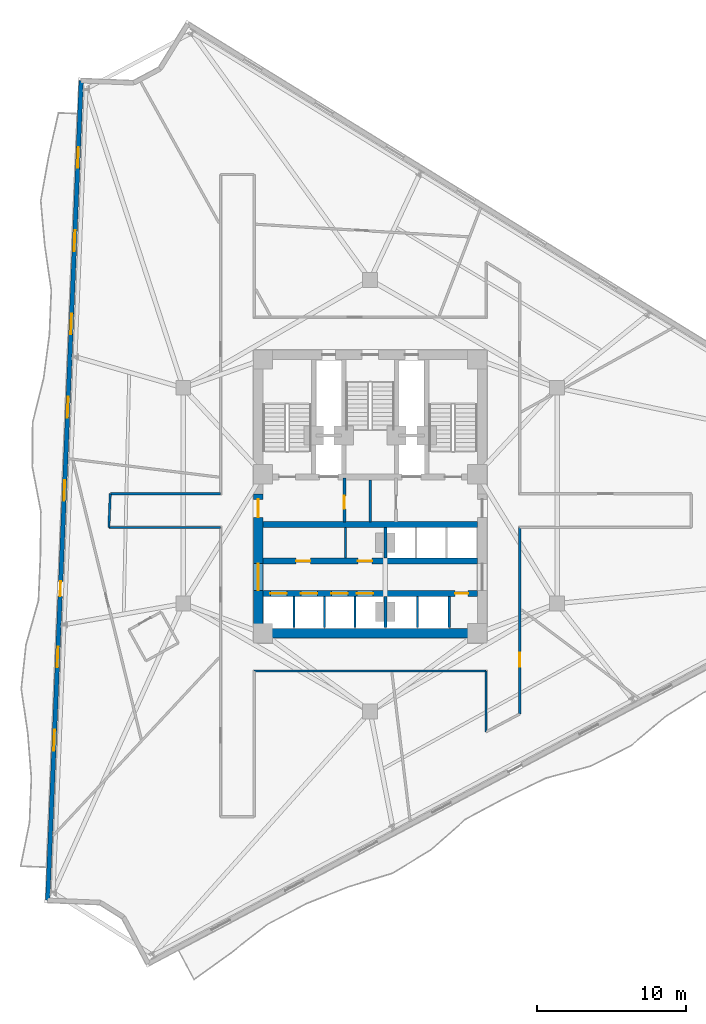
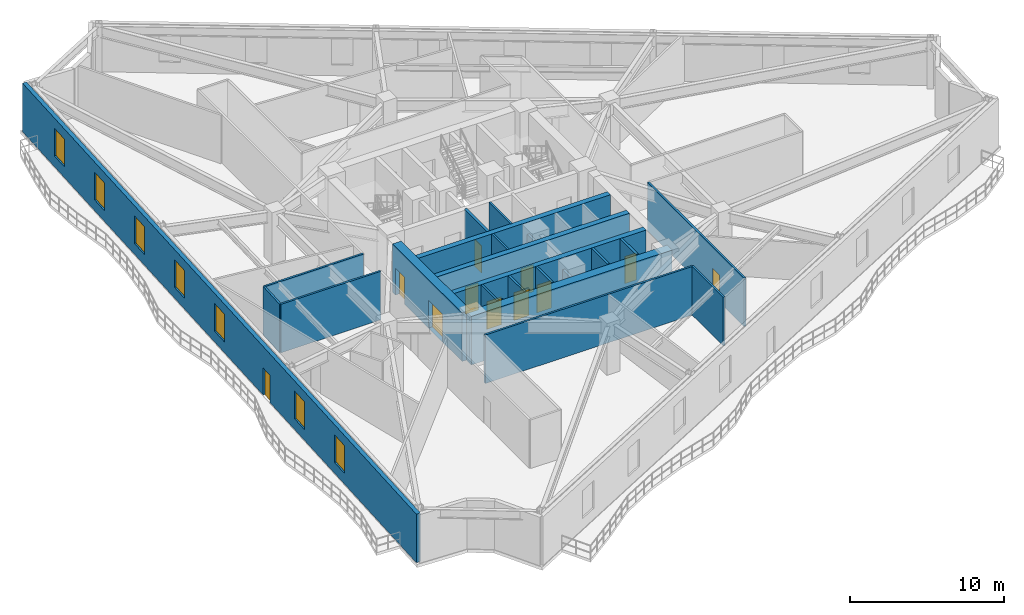
# One storey, part 6 of 11: 22 walls, 12 doors, 7 windows, 19 openings.
"""IFC4 building model written with IfcOpenShell, lengths in metres."""

from ifc_helpers import new_model, si_unit, direction, frame, frame_2d, origin, place, context, subcontext, project, spatial, rectangle, extrude, material, layer, layer_set, type_object, element, fill, save


model = new_model("IFC4")

# Units and contexts
model_context = context("Model", 3, precision=1e-05, world=origin(), true_north=direction((0.0, 1.0)))
body_context = subcontext(model_context, "Body", "Model", "MODEL_VIEW")
ifc_project = project(units=[si_unit("LENGTHUNIT", "METRE"), si_unit("AREAUNIT", "SQUARE_METRE"), si_unit("VOLUMEUNIT", "CUBIC_METRE"), si_unit("PLANEANGLEUNIT", "RADIAN"), si_unit("MASSUNIT", "GRAM", prefix="KILO")], contexts=[model_context])

# Site, building, storey
site_placement = place(None, origin())
site = spatial("IfcSite", under=ifc_project, at=site_placement, CompositionType="ELEMENT")
building_placement = place(site_placement, origin())
building = spatial("IfcBuilding", under=site, at=building_placement, Name="Apsidion Concourse Tower", CompositionType="ELEMENT")
storey_placement = place(building_placement, frame((0.0, 0.0, 169.60009765625)))
storey = spatial("IfcBuildingStorey", under=building, at=storey_placement, Name="L39", CompositionType="ELEMENT", Elevation=169.60009765625)

# Wall, openings, door, windows
ifc_material_1 = material(Name="Precast concrete C40/50", Category="concrete")
ifc_layer_1 = layer(ifc_material_1, 0.300048828125)
ifc_layer_set_1 = layer_set([ifc_layer_1], Name="Precast concrete C40/50")
wall_type_1 = type_object("IfcWallType", Name="WL-EXT-300", PredefinedType="STANDARD", material=ifc_layer_set_1)
wall_1_placement = place(storey_placement, frame((-21.66748046875, -27.184326171875, 0.0), z_axis=(0.0, 0.0, 1.0), x_axis=(0.040813869681, 0.999166766882, 0.0)))
wall_1 = element("IfcWall", 1, at=wall_1_placement, inside=storey, type_object=wall_type_1, Name="L39 Precast Stone Facade Wall 09", PredefinedType="STANDARD", context=body_context, shape_type="SweptSolid", body=[
    extrude(rectangle(XDim=55.1103515625, YDim=0.300048828125, at=frame_2d((27.55517578125, 0.0))), origin(), (0.0, 0.0, 1.0), 3.849853515625),
])
opening_1_placement = place(wall_1_placement, frame((20.44189453125, 0.0, 0.0)))
opening_1 = element("IfcOpeningElement", 2, at=opening_1_placement, cuts=wall_1, Name="Opening D-T1R", PredefinedType="OPENING", context=body_context, shape_type="SweptSolid", body=[
    extrude(rectangle(XDim=1.0, YDim=2.14990234375, at=frame_2d((0.5, 1.074951171875))), frame((0.0, 0.16015625, 0.0), z_axis=(0.0, -1.0, 0.0), x_axis=(1.0, 0.0, 0.0)), (0.0, 0.0, 1.0), 0.320068359375),
])
opening_2_placement = place(wall_1_placement, frame((10.055419921875, 0.0, 0.85009765625)))
opening_2 = element("IfcOpeningElement", 3, at=opening_2_placement, cuts=wall_1, Name="Opening WN-05", PredefinedType="OPENING", context=body_context, shape_type="SweptSolid", body=[
    extrude(rectangle(XDim=1.39990234375, YDim=2.199951171875, at=frame_2d((0.699951171875, 1.10009765625))), frame((0.0, 0.16015625, 0.0), z_axis=(0.0, -1.0, 0.0), x_axis=(1.0, 0.0, 0.0)), (0.0, 0.0, 1.0), 0.320068359375),
])
opening_3_placement = place(wall_1_placement, frame((15.6552734375, 0.0, 0.85009765625)))
opening_3 = element("IfcOpeningElement", 4, at=opening_3_placement, cuts=wall_1, Name="Opening WN-05", PredefinedType="OPENING", context=body_context, shape_type="SweptSolid", body=[
    extrude(rectangle(XDim=1.39990234375, YDim=2.199951171875, at=frame_2d((0.699951171875, 1.10009765625))), frame((0.0, 0.16015625, 0.0), z_axis=(0.0, -1.0, 0.0), x_axis=(1.0, 0.0, 0.0)), (0.0, 0.0, 1.0), 0.320068359375),
])
opening_4_placement = place(wall_1_placement, frame((26.855224609375, 0.0, 0.85009765625)))
opening_4 = element("IfcOpeningElement", 5, at=opening_4_placement, cuts=wall_1, Name="Opening WN-05", PredefinedType="OPENING", context=body_context, shape_type="SweptSolid", body=[
    extrude(rectangle(XDim=1.39990234375, YDim=2.199951171875, at=frame_2d((0.699951171875, 1.10009765625))), frame((0.0, 0.16015625, 0.0), z_axis=(0.0, -1.0, 0.0), x_axis=(1.0, 0.0, 0.0)), (0.0, 0.0, 1.0), 0.320068359375),
])
opening_5_placement = place(wall_1_placement, frame((32.455322265625, 0.0, 0.85009765625)))
opening_5 = element("IfcOpeningElement", 6, at=opening_5_placement, cuts=wall_1, Name="Opening WN-05", PredefinedType="OPENING", context=body_context, shape_type="SweptSolid", body=[
    extrude(rectangle(XDim=1.39990234375, YDim=2.199951171875, at=frame_2d((0.699951171875, 1.10009765625))), frame((0.0, 0.16015625, 0.0), z_axis=(0.0, -1.0, 0.0), x_axis=(1.0, 0.0, 0.0)), (0.0, 0.0, 1.0), 0.320068359375),
])
opening_6_placement = place(wall_1_placement, frame((38.055419921875, 0.0, 0.85009765625)))
opening_6 = element("IfcOpeningElement", 7, at=opening_6_placement, cuts=wall_1, Name="Opening WN-05", PredefinedType="OPENING", context=body_context, shape_type="SweptSolid", body=[
    extrude(rectangle(XDim=1.39990234375, YDim=2.199951171875, at=frame_2d((0.699951171875, 1.10009765625))), frame((0.0, 0.16015625, 0.0), z_axis=(0.0, -1.0, 0.0), x_axis=(1.0, 0.0, 0.0)), (0.0, 0.0, 1.0), 0.320068359375),
])
opening_7_placement = place(wall_1_placement, frame((43.6552734375, 0.0, 0.85009765625)))
opening_7 = element("IfcOpeningElement", 8, at=opening_7_placement, cuts=wall_1, Name="Opening WN-05", PredefinedType="OPENING", context=body_context, shape_type="SweptSolid", body=[
    extrude(rectangle(XDim=1.39990234375, YDim=2.199951171875, at=frame_2d((0.699951171875, 1.10009765625))), frame((0.0, 0.16015625, 0.0), z_axis=(0.0, -1.0, 0.0), x_axis=(1.0, 0.0, 0.0)), (0.0, 0.0, 1.0), 0.320068359375),
])
opening_8_placement = place(wall_1_placement, frame((49.25537109375, 0.0, 0.85009765625)))
opening_8 = element("IfcOpeningElement", 9, at=opening_8_placement, cuts=wall_1, Name="Opening WN-05", PredefinedType="OPENING", context=body_context, shape_type="SweptSolid", body=[
    extrude(rectangle(XDim=1.39990234375, YDim=2.199951171875, at=frame_2d((0.699951171875, 1.10009765625))), frame((0.0, 0.16015625, 0.0), z_axis=(0.0, -1.0, 0.0), x_axis=(1.0, 0.0, 0.0)), (0.0, 0.0, 1.0), 0.320068359375),
])
ifc_material_2 = material(Name="Anodised aluminium EN AW-6063 T6", Category="aluminium")
door_type_1 = type_object("IfcDoorType", Name="DR-TER-1022R", OperationType="SINGLE_SWING_RIGHT", PredefinedType="DOOR", material=ifc_material_2)
door_1_placement = place(opening_1_placement, origin())
door_1 = element("IfcDoor", 10, at=door_1_placement, inside=storey, type_object=door_type_1, Name="L39 Balcony Access Door 1", OperationType="SINGLE_SWING_RIGHT", OverallHeight=2.14990234375, OverallWidth=1.0, PredefinedType="DOOR", context=body_context, shape_type="SweptSolid", body=[
    extrude(rectangle(XDim=1.0, YDim=2.14990234375, at=frame_2d((0.5, 1.074951171875))), frame((0.0, 0.02490234375, 0.0), z_axis=(0.0, -1.0, 0.0), x_axis=(1.0, 0.0, 0.0)), (0.0, 0.0, 1.0), 0.050048828125),
])
fill(opening_1, door_1)
ifc_material_3 = material(Name="Insulated laminated low-E glass", Category="glass")
window_type = type_object("IfcWindowType", Name="WN-OFF-1424", PartitioningType="SINGLE_PANEL", PredefinedType="WINDOW", material=ifc_material_3)
window_1_placement = place(opening_2_placement, origin())
window_1 = element("IfcWindow", 11, at=window_1_placement, inside=storey, type_object=window_type, Name="L39 Punched Facade Window 9-02", OverallHeight=2.199951171875, OverallWidth=1.39990234375, PartitioningType="SINGLE_PANEL", PredefinedType="WINDOW", context=body_context, shape_type="SweptSolid", body=[
    extrude(rectangle(XDim=1.39990234375, YDim=2.199951171875, at=frame_2d((0.699951171875, 1.10009765625))), frame((0.0, 0.030029296875, 0.0), z_axis=(0.0, -1.0, 0.0), x_axis=(1.0, 0.0, 0.0)), (0.0, 0.0, 1.0), 0.06005859375),
])
fill(opening_2, window_1)
window_2_placement = place(opening_3_placement, origin())
window_2 = element("IfcWindow", 12, at=window_2_placement, inside=storey, type_object=window_type, Name="L39 Punched Facade Window 9-03", OverallHeight=2.199951171875, OverallWidth=1.39990234375, PartitioningType="SINGLE_PANEL", PredefinedType="WINDOW", context=body_context, shape_type="SweptSolid", body=[
    extrude(rectangle(XDim=1.39990234375, YDim=2.199951171875, at=frame_2d((0.699951171875, 1.10009765625))), frame((0.0, 0.030029296875, 0.0), z_axis=(0.0, -1.0, 0.0), x_axis=(1.0, 0.0, 0.0)), (0.0, 0.0, 1.0), 0.06005859375),
])
fill(opening_3, window_2)
window_3_placement = place(opening_4_placement, origin())
window_3 = element("IfcWindow", 13, at=window_3_placement, inside=storey, type_object=window_type, Name="L39 Punched Facade Window 9-05", OverallHeight=2.199951171875, OverallWidth=1.39990234375, PartitioningType="SINGLE_PANEL", PredefinedType="WINDOW", context=body_context, shape_type="SweptSolid", body=[
    extrude(rectangle(XDim=1.39990234375, YDim=2.199951171875, at=frame_2d((0.699951171875, 1.10009765625))), frame((0.0, 0.030029296875, 0.0), z_axis=(0.0, -1.0, 0.0), x_axis=(1.0, 0.0, 0.0)), (0.0, 0.0, 1.0), 0.06005859375),
])
fill(opening_4, window_3)
window_4_placement = place(opening_5_placement, origin())
window_4 = element("IfcWindow", 14, at=window_4_placement, inside=storey, type_object=window_type, Name="L39 Punched Facade Window 9-06", OverallHeight=2.199951171875, OverallWidth=1.39990234375, PartitioningType="SINGLE_PANEL", PredefinedType="WINDOW", context=body_context, shape_type="SweptSolid", body=[
    extrude(rectangle(XDim=1.39990234375, YDim=2.199951171875, at=frame_2d((0.699951171875, 1.10009765625))), frame((0.0, 0.030029296875, 0.0), z_axis=(0.0, -1.0, 0.0), x_axis=(1.0, 0.0, 0.0)), (0.0, 0.0, 1.0), 0.06005859375),
])
fill(opening_5, window_4)
window_5_placement = place(opening_6_placement, origin())
window_5 = element("IfcWindow", 15, at=window_5_placement, inside=storey, type_object=window_type, Name="L39 Punched Facade Window 9-07", OverallHeight=2.199951171875, OverallWidth=1.39990234375, PartitioningType="SINGLE_PANEL", PredefinedType="WINDOW", context=body_context, shape_type="SweptSolid", body=[
    extrude(rectangle(XDim=1.39990234375, YDim=2.199951171875, at=frame_2d((0.699951171875, 1.10009765625))), frame((0.0, 0.030029296875, 0.0), z_axis=(0.0, -1.0, 0.0), x_axis=(1.0, 0.0, 0.0)), (0.0, 0.0, 1.0), 0.06005859375),
])
fill(opening_6, window_5)
window_6_placement = place(opening_7_placement, origin())
window_6 = element("IfcWindow", 16, at=window_6_placement, inside=storey, type_object=window_type, Name="L39 Punched Facade Window 9-08", OverallHeight=2.199951171875, OverallWidth=1.39990234375, PartitioningType="SINGLE_PANEL", PredefinedType="WINDOW", context=body_context, shape_type="SweptSolid", body=[
    extrude(rectangle(XDim=1.39990234375, YDim=2.199951171875, at=frame_2d((0.699951171875, 1.10009765625))), frame((0.0, 0.030029296875, 0.0), z_axis=(0.0, -1.0, 0.0), x_axis=(1.0, 0.0, 0.0)), (0.0, 0.0, 1.0), 0.06005859375),
])
fill(opening_7, window_6)
window_7_placement = place(opening_8_placement, origin())
window_7 = element("IfcWindow", 17, at=window_7_placement, inside=storey, type_object=window_type, Name="L39 Punched Facade Window 9-09", OverallHeight=2.199951171875, OverallWidth=1.39990234375, PartitioningType="SINGLE_PANEL", PredefinedType="WINDOW", context=body_context, shape_type="SweptSolid", body=[
    extrude(rectangle(XDim=1.39990234375, YDim=2.199951171875, at=frame_2d((0.699951171875, 1.10009765625))), frame((0.0, 0.030029296875, 0.0), z_axis=(0.0, -1.0, 0.0), x_axis=(1.0, 0.0, 0.0)), (0.0, 0.0, 1.0), 0.06005859375),
])
fill(opening_8, window_7)

# Walls
ifc_material_4 = material(Name="Gypsum plasterboard partition")
ifc_layer_2 = layer(ifc_material_4, 0.14990234375)
ifc_layer_set_2 = layer_set([ifc_layer_2], Name="Gypsum plasterboard partition")
wall_type_2 = type_object("IfcWallType", Name="WL-INT-PAR-150", PredefinedType="PARTITIONING", material=ifc_layer_set_2)
wall_2_placement = place(storey_placement, frame((-1.64990234375, -4.179931640625, 0.0), z_axis=(0.0, 0.0, 1.0), x_axis=(0.0, 1.0, 0.0)))
element("IfcWall", 18, at=wall_2_placement, inside=storey, type_object=wall_type_2, Name="L39 Interior Partition WL-L39-B1RV1", PredefinedType="PARTITIONING", context=body_context, shape_type="SweptSolid", body=[
    extrude(rectangle(XDim=2.030029296875, YDim=0.14990234375, at=frame_2d((1.01513671875, 0.0))), origin(), (0.0, 0.0, 1.0), 3.849853515625),
])
for number, where, z_axis, x_axis, name in (
    (19, (-5.125, -8.85009765625, 0.0), (0.0, 0.0, 1.0), (0.0, 1.0, 0.0), "L39 Interior Partition WL-L39-B2DIV-1"),
    (20, (-3.074951171875, -8.85009765625, 0.0), (0.0, 0.0, 1.0), (0.0, 1.0, 0.0), "L39 Interior Partition WL-L39-B2DIV-2"),
    (21, (-1.02490234375, -8.85009765625, 0.0), (0.0, 0.0, 1.0), (0.0, 1.0, 0.0), "L39 Interior Partition WL-L39-B2DIV-3"),
    (22, (3.175048828125, -8.85009765625, 0.0), (0.0, 0.0, 1.0), (0.0, 1.0, 0.0), "L39 Interior Partition WL-L39-SHDIV-1"),
):
    element("IfcWall", number, at=place(storey_placement, frame(where, z_axis=z_axis, x_axis=x_axis)), inside=storey, type_object=wall_type_2, Name=name, PredefinedType="PARTITIONING", context=body_context, shape_type="SweptSolid", body=[
        extrude(rectangle(XDim=2.080078125, YDim=0.14990234375, at=frame_2d((1.0400390625, 0.0))), origin(), (0.0, 0.0, 1.0), 3.849853515625),
    ])
wall_3_placement = place(storey_placement, frame((0.0, -1.780029296875, 0.0), z_axis=(0.0, 0.0, 1.0), x_axis=(0.0, 1.0, 0.0)))
element("IfcWall", 23, at=wall_3_placement, inside=storey, type_object=wall_type_2, Name="L39 Interior Partition WL-L39-K3V", PredefinedType="PARTITIONING", context=body_context, shape_type="SweptSolid", body=[
    extrude(rectangle(XDim=2.830078125, YDim=0.14990234375, at=frame_2d((1.4150390625, 0.0))), origin(), (0.0, 0.0, 1.0), 3.849853515625),
])
wall_4_placement = place(storey_placement, frame((7.7900390625, -15.87060546875, 0.0), z_axis=(0.0, 0.0, 1.0), x_axis=(0.0, 1.0, 0.0)))
element("IfcWall", 24, at=wall_4_placement, inside=storey, type_object=wall_type_2, Name="L39 Interior Partition WL-L39-CORR-02", PredefinedType="PARTITIONING", context=body_context, shape_type="SweptSolid", body=[
    extrude(rectangle(XDim=4.095703125, YDim=0.14990234375, at=frame_2d((2.0478515625, 0.0))), origin(), (0.0, 0.0, 1.0), 3.849853515625),
])
wall_5_placement = place(storey_placement, frame((7.7900390625, -11.77490234375, 0.0), z_axis=(0.0, 0.0, 1.0), x_axis=(-1.0, 0.0, 0.0)))
element("IfcWall", 25, at=wall_5_placement, inside=storey, type_object=wall_type_2, Name="L39 Interior Partition WL-L39-CORR-03", PredefinedType="PARTITIONING", context=body_context, shape_type="SweptSolid", body=[
    extrude(rectangle(XDim=15.580078125, YDim=0.14990234375, at=frame_2d((7.7900390625, 0.0))), origin(), (0.0, 0.0, 1.0), 3.849853515625),
])
wall_6_placement = place(storey_placement, frame((-10.050048828125, -2.1298828125, 0.0), z_axis=(0.0, 0.0, 1.0), x_axis=(-1.0, 0.0, 0.0)))
element("IfcWall", 26, at=wall_6_placement, inside=storey, type_object=wall_type_2, Name="L39 Interior Partition WL-L39-CORR-07", PredefinedType="PARTITIONING", context=body_context, shape_type="SweptSolid", body=[
    extrude(rectangle(XDim=7.50634765625, YDim=0.14990234375, at=frame_2d((3.753173828125, 0.0))), origin(), (0.0, 0.0, 1.0), 3.849853515625),
])
wall_7_placement = place(storey_placement, frame((-17.556396484375, -2.1298828125, 0.0), z_axis=(0.0, 0.0, 1.0), x_axis=(0.040804363078, 0.999167155162, 0.0)))
element("IfcWall", 27, at=wall_7_placement, inside=storey, type_object=wall_type_2, Name="L39 Interior Partition WL-L39-CORR-08", PredefinedType="PARTITIONING", context=body_context, shape_type="SweptSolid", body=[
    extrude(rectangle(XDim=2.26171875, YDim=0.14990234375, at=frame_2d((1.130859375, 0.0))), origin(), (0.0, 0.0, 1.0), 3.849853515625),
])
wall_8_placement = place(storey_placement, frame((-17.464111328125, 0.1298828125, 0.0), z_axis=(0.0, 0.0, 1.0), x_axis=(1.0, 0.0, 0.0)))
element("IfcWall", 28, at=wall_8_placement, inside=storey, type_object=wall_type_2, Name="L39 Interior Partition WL-L39-CORR-09", PredefinedType="PARTITIONING", context=body_context, shape_type="SweptSolid", body=[
    extrude(rectangle(XDim=7.4140625, YDim=0.14990234375, at=frame_2d((3.70703125, 0.0))), origin(), (0.0, 0.0, 1.0), 3.849853515625),
])

# Wall, opening, door
wall_9_placement = place(storey_placement, frame((10.050048828125, -2.1298828125, 0.0), z_axis=(0.0, 0.0, 1.0), x_axis=(0.0, -1.0, 0.0)))
wall_9 = element("IfcWall", 29, at=wall_9_placement, inside=storey, type_object=wall_type_2, Name="L39 Interior Partition WL-L39-CORR-20", PredefinedType="PARTITIONING", context=body_context, shape_type="SweptSolid", body=[
    extrude(rectangle(XDim=12.5390625, YDim=0.14990234375, at=frame_2d((6.26953125, 0.0))), origin(), (0.0, 0.0, 1.0), 3.849853515625),
])
opening_9_placement = place(wall_9_placement, frame((8.428955078125, 0.0, 0.0)))
opening_9 = element("IfcOpeningElement", 30, at=opening_9_placement, cuts=wall_9, Name="Opening D-01L", PredefinedType="OPENING", context=body_context, shape_type="SweptSolid", body=[
    extrude(rectangle(XDim=0.949951171875, YDim=2.14990234375, at=frame_2d((0.47509765625, 1.074951171875))), frame((0.0, 0.0849609375, 0.0), z_axis=(0.0, -1.0, 0.0), x_axis=(1.0, 0.0, 0.0)), (0.0, 0.0, 1.0), 0.169921875),
])
ifc_material_5 = material(Name="Brushed stainless steel 316", Category="steel")
door_type_2 = type_object("IfcDoorType", Name="DR-INT-D01L", OperationType="SINGLE_SWING_LEFT", PredefinedType="DOOR", material=ifc_material_5)
door_2_placement = place(opening_9_placement, origin())
door_2 = element("IfcDoor", 31, at=door_2_placement, inside=storey, type_object=door_type_2, Name="L39 Corridor Entry Door 03", OperationType="SINGLE_SWING_LEFT", OverallHeight=2.14990234375, OverallWidth=0.949951171875, PredefinedType="DOOR", context=body_context, shape_type="SweptSolid", body=[
    extrude(rectangle(XDim=0.949951171875, YDim=2.14990234375, at=frame_2d((0.47509765625, 1.074951171875))), frame((0.0, 0.02490234375, 0.0), z_axis=(0.0, -1.0, 0.0), x_axis=(1.0, 0.0, 0.0)), (0.0, 0.0, 1.0), 0.050048828125),
])
fill(opening_9, door_2)

# Walls
ifc_layer_3 = layer(ifc_material_4, 0.179931640625)
ifc_layer_set_3 = layer_set([ifc_layer_3], Name="Gypsum plasterboard partition")
wall_type_3 = type_object("IfcWallType", Name="WL-INT-PAR-180", PredefinedType="PARTITIONING", material=ifc_layer_set_3)
wall_10_placement = place(storey_placement, frame((1.02490234375, -4.179931640625, 0.0), z_axis=(0.0, 0.0, 1.0), x_axis=(0.0, 1.0, 0.0)))
element("IfcWall", 32, at=wall_10_placement, inside=storey, type_object=wall_type_3, Name="L39 Interior Partition WL-L39-B1END", PredefinedType="PARTITIONING", context=body_context, shape_type="SweptSolid", body=[
    extrude(rectangle(XDim=2.030029296875, YDim=0.179931640625, at=frame_2d((1.01513671875, 0.0))), origin(), (0.0, 0.0, 1.0), 2.89794921875),
])
wall_11_placement = place(storey_placement, frame((1.02490234375, -8.85009765625, 0.0), z_axis=(0.0, 0.0, 1.0), x_axis=(0.0, 1.0, 0.0)))
element("IfcWall", 33, at=wall_11_placement, inside=storey, type_object=wall_type_3, Name="L39 Interior Partition WL-L39-B2END", PredefinedType="PARTITIONING", context=body_context, shape_type="SweptSolid", body=[
    extrude(rectangle(XDim=2.080078125, YDim=0.179931640625, at=frame_2d((1.0400390625, 0.0))), origin(), (0.0, 0.0, 1.0), 2.89794921875),
])
wall_12_placement = place(storey_placement, frame((5.324951171875, -8.85009765625, 0.0), z_axis=(0.0, 0.0, 1.0), x_axis=(0.0, 1.0, 0.0)))
element("IfcWall", 34, at=wall_12_placement, inside=storey, type_object=wall_type_3, Name="L39 Interior Partition WL-L39-SHDIV-2", PredefinedType="PARTITIONING", context=body_context, shape_type="SweptSolid", body=[
    extrude(rectangle(XDim=2.080078125, YDim=0.179931640625, at=frame_2d((1.0400390625, 0.0))), origin(), (0.0, 0.0, 1.0), 3.849853515625),
])

# Wall, opening, door
ifc_layer_4 = layer(ifc_material_4, 0.199951171875)
ifc_layer_set_4 = layer_set([ifc_layer_4], Name="Gypsum plasterboard partition")
wall_type_4 = type_object("IfcWallType", Name="WL-INT-PAR-200", PredefinedType="PARTITIONING", material=ifc_layer_set_4)
wall_13_placement = place(storey_placement, frame((-1.739990234375, -1.780029296875, 0.0), z_axis=(0.0, 0.0, 1.0), x_axis=(0.0, 1.0, 0.0)))
wall_13 = element("IfcWall", 35, at=wall_13_placement, inside=storey, type_object=wall_type_4, Name="L39 Interior Partition WL-L39-FF1-E", PredefinedType="PARTITIONING", context=body_context, shape_type="SweptSolid", body=[
    extrude(rectangle(XDim=2.97998046875, YDim=0.199951171875, at=frame_2d((1.489990234375, 0.0))), origin(), (0.0, 0.0, 1.0), 3.849853515625),
])
opening_10_placement = place(wall_13_placement, frame((0.889892578125, 0.0, 0.0)))
opening_10 = element("IfcOpeningElement", 36, at=opening_10_placement, cuts=wall_13, Name="Opening D-05R", PredefinedType="OPENING", context=body_context, shape_type="SweptSolid", body=[
    extrude(rectangle(XDim=0.8798828125, YDim=2.14990234375, at=frame_2d((0.43994140625, 1.074951171875))), frame((0.0, 0.10986328125, 0.0), z_axis=(0.0, -1.0, 0.0), x_axis=(1.0, 0.0, 0.0)), (0.0, 0.0, 1.0), 0.219970703125),
])
door_type_3 = type_object("IfcDoorType", Name="DR-INT-D05R", OperationType="SINGLE_SWING_RIGHT", PredefinedType="DOOR", material=ifc_material_5)
door_3_placement = place(opening_10_placement, origin())
door_3 = element("IfcDoor", 37, at=door_3_placement, inside=storey, type_object=door_type_3, Name="L39 Core Pantry Door", OperationType="SINGLE_SWING_RIGHT", OverallHeight=2.14990234375, OverallWidth=0.8798828125, PredefinedType="DOOR", context=body_context, shape_type="SweptSolid", body=[
    extrude(rectangle(XDim=0.8798828125, YDim=2.14990234375, at=frame_2d((0.43994140625, 1.074951171875))), frame((0.0, 0.02490234375, 0.0), z_axis=(0.0, -1.0, 0.0), x_axis=(1.0, 0.0, 0.0)), (0.0, 0.0, 1.0), 0.050048828125),
])
fill(opening_10, door_3)

# Wall
ifc_material_6 = material(Name="Concrete C50/60", Category="concrete")
ifc_layer_5 = layer(ifc_material_6, 0.39990234375)
ifc_layer_set_5 = layer_set([ifc_layer_5], Name="Concrete C50/60")
wall_type_5 = type_object("IfcWallType", Name="WL-SH-400", PredefinedType="SHEAR", material=ifc_layer_set_5)
wall_14_placement = place(storey_placement, frame((-7.199951171875, -1.949951171875, 0.0), z_axis=(0.0, 0.0, 1.0), x_axis=(1.0, 0.0, 0.0)))
element("IfcWall", 38, at=wall_14_placement, inside=storey, type_object=wall_type_5, Name="L39 Central Core Shear Wall M2", PredefinedType="SHEAR", context=body_context, shape_type="SweptSolid", body=[
    extrude(rectangle(XDim=14.39990234375, YDim=0.39990234375, at=frame_2d((7.199951171875, 0.0))), origin(), (0.0, 0.0, 1.0), 3.849853515625),
])

# Wall, openings, doors
wall_15_placement = place(storey_placement, frame((-7.199951171875, -4.3798828125, 0.0), z_axis=(0.0, 0.0, 1.0), x_axis=(1.0, 0.0, 0.0)))
wall_15 = element("IfcWall", 39, at=wall_15_placement, inside=storey, type_object=wall_type_5, Name="L39 Central Core Shear Wall LA", PredefinedType="SHEAR", context=body_context, shape_type="SweptSolid", body=[
    extrude(rectangle(XDim=14.39990234375, YDim=0.39990234375, at=frame_2d((7.199951171875, 0.0))), origin(), (0.0, 0.0, 1.0), 3.849853515625),
])
opening_11_placement = place(wall_15_placement, frame((2.22509765625, 0.0, 0.0)))
opening_11 = element("IfcOpeningElement", 40, at=opening_11_placement, cuts=wall_15, Name="Opening D-04L", PredefinedType="OPENING", context=body_context, shape_type="SweptSolid", body=[
    extrude(rectangle(XDim=0.949951171875, YDim=2.14990234375, at=frame_2d((0.47509765625, 1.074951171875))), frame((0.0, 0.2099609375, 0.0), z_axis=(0.0, -1.0, 0.0), x_axis=(1.0, 0.0, 0.0)), (0.0, 0.0, 1.0), 0.419921875),
])
opening_12_placement = place(wall_15_placement, frame((6.375, 0.0, 0.0)))
opening_12 = element("IfcOpeningElement", 41, at=opening_12_placement, cuts=wall_15, Name="Opening D-04R", PredefinedType="OPENING", context=body_context, shape_type="SweptSolid", body=[
    extrude(rectangle(XDim=0.949951171875, YDim=2.14990234375, at=frame_2d((0.47509765625, 1.074951171875))), frame((0.0, 0.2099609375, 0.0), z_axis=(0.0, -1.0, 0.0), x_axis=(1.0, 0.0, 0.0)), (0.0, 0.0, 1.0), 0.419921875),
])
door_type_4 = type_object("IfcDoorType", Name="DR-INT-D04L", OperationType="SINGLE_SWING_LEFT", PredefinedType="DOOR", material=ifc_material_5)
door_4_placement = place(opening_11_placement, origin())
door_4 = element("IfcDoor", 42, at=door_4_placement, inside=storey, type_object=door_type_4, Name="L39 Tenant Records Archive Room Door", OperationType="SINGLE_SWING_LEFT", OverallHeight=2.14990234375, OverallWidth=0.949951171875, PredefinedType="DOOR", context=body_context, shape_type="SweptSolid", body=[
    extrude(rectangle(XDim=0.949951171875, YDim=2.14990234375, at=frame_2d((0.47509765625, 1.074951171875))), frame((0.0, 0.02490234375, 0.0), z_axis=(0.0, -1.0, 0.0), x_axis=(1.0, 0.0, 0.0)), (0.0, 0.0, 1.0), 0.050048828125),
])
fill(opening_11, door_4)
door_type_5 = type_object("IfcDoorType", Name="DR-INT-D04R", OperationType="SINGLE_SWING_RIGHT", PredefinedType="DOOR", material=ifc_material_5)
door_5_placement = place(opening_12_placement, origin())
door_5 = element("IfcDoor", 43, at=door_5_placement, inside=storey, type_object=door_type_5, Name="L39 Core Beverage Pantry Door", OperationType="SINGLE_SWING_RIGHT", OverallHeight=2.14990234375, OverallWidth=0.949951171875, PredefinedType="DOOR", context=body_context, shape_type="SweptSolid", body=[
    extrude(rectangle(XDim=0.949951171875, YDim=2.14990234375, at=frame_2d((0.47509765625, 1.074951171875))), frame((0.0, 0.02490234375, 0.0), z_axis=(0.0, -1.0, 0.0), x_axis=(1.0, 0.0, 0.0)), (0.0, 0.0, 1.0), 0.050048828125),
])
fill(opening_12, door_5)

wall_16_placement = place(storey_placement, frame((-7.199951171875, -6.570068359375, 0.0), z_axis=(0.0, 0.0, 1.0), x_axis=(1.0, 0.0, 0.0)))
wall_16 = element("IfcWall", 44, at=wall_16_placement, inside=storey, type_object=wall_type_5, Name="L39 Central Core Shear Wall LB", PredefinedType="SHEAR", context=body_context, shape_type="SweptSolid", body=[
    extrude(rectangle(XDim=14.39990234375, YDim=0.39990234375, at=frame_2d((7.199951171875, 0.0))), origin(), (0.0, 0.0, 1.0), 3.849853515625),
])
opening_13_placement = place(wall_16_placement, frame((0.5, 0.0, 0.0)))
opening_13 = element("IfcOpeningElement", 45, at=opening_13_placement, cuts=wall_16, Name="Opening LD-P1", PredefinedType="OPENING", context=body_context, shape_type="SweptSolid", body=[
    extrude(rectangle(XDim=1.10009765625, YDim=2.199951171875, at=frame_2d((0.550048828125, 1.10009765625))), frame((0.0, 0.2099609375, 0.0), z_axis=(0.0, -1.0, 0.0), x_axis=(1.0, 0.0, 0.0)), (0.0, 0.0, 1.0), 0.419921875),
])
opening_14_placement = place(wall_16_placement, frame((2.550048828125, 0.0, 0.0)))
opening_14 = element("IfcOpeningElement", 46, at=opening_14_placement, cuts=wall_16, Name="Opening LD-P1", PredefinedType="OPENING", context=body_context, shape_type="SweptSolid", body=[
    extrude(rectangle(XDim=1.10009765625, YDim=2.199951171875, at=frame_2d((0.550048828125, 1.10009765625))), frame((0.0, 0.2099609375, 0.0), z_axis=(0.0, -1.0, 0.0), x_axis=(1.0, 0.0, 0.0)), (0.0, 0.0, 1.0), 0.419921875),
])
opening_15_placement = place(wall_16_placement, frame((4.60009765625, 0.0, 0.0)))
opening_15 = element("IfcOpeningElement", 47, at=opening_15_placement, cuts=wall_16, Name="Opening LD-P1", PredefinedType="OPENING", context=body_context, shape_type="SweptSolid", body=[
    extrude(rectangle(XDim=1.10009765625, YDim=2.199951171875, at=frame_2d((0.550048828125, 1.10009765625))), frame((0.0, 0.2099609375, 0.0), z_axis=(0.0, -1.0, 0.0), x_axis=(1.0, 0.0, 0.0)), (0.0, 0.0, 1.0), 0.419921875),
])
opening_16_placement = place(wall_16_placement, frame((6.300048828125, 0.0, 0.0)))
opening_16 = element("IfcOpeningElement", 48, at=opening_16_placement, cuts=wall_16, Name="Opening LD-P1", PredefinedType="OPENING", context=body_context, shape_type="SweptSolid", body=[
    extrude(rectangle(XDim=1.10009765625, YDim=2.199951171875, at=frame_2d((0.550048828125, 1.10009765625))), frame((0.0, 0.2099609375, 0.0), z_axis=(0.0, -1.0, 0.0), x_axis=(1.0, 0.0, 0.0)), (0.0, 0.0, 1.0), 0.419921875),
])
opening_17_placement = place(wall_16_placement, frame((12.909912109375, 0.0, 0.0)))
opening_17 = element("IfcOpeningElement", 49, at=opening_17_placement, cuts=wall_16, Name="Opening D-05L", PredefinedType="OPENING", context=body_context, shape_type="SweptSolid", body=[
    extrude(rectangle(XDim=0.8798828125, YDim=2.14990234375, at=frame_2d((0.43994140625, 1.074951171875))), frame((0.0, 0.2099609375, 0.0), z_axis=(0.0, -1.0, 0.0), x_axis=(1.0, 0.0, 0.0)), (0.0, 0.0, 1.0), 0.419921875),
])
door_type_6 = type_object("IfcDoorType", Name="DR-INT-D05L", OperationType="SINGLE_SWING_LEFT", PredefinedType="DOOR", material=ifc_material_5)
door_6_placement = place(opening_17_placement, origin())
door_6 = element("IfcDoor", 50, at=door_6_placement, inside=storey, type_object=door_type_6, Name="L39 Cleaners Store Door", OperationType="SINGLE_SWING_LEFT", OverallHeight=2.14990234375, OverallWidth=0.8798828125, PredefinedType="DOOR", context=body_context, shape_type="SweptSolid", body=[
    extrude(rectangle(XDim=0.8798828125, YDim=2.14990234375, at=frame_2d((0.43994140625, 1.074951171875))), frame((0.0, 0.02490234375, 0.0), z_axis=(0.0, -1.0, 0.0), x_axis=(1.0, 0.0, 0.0)), (0.0, 0.0, 1.0), 0.050048828125),
])
fill(opening_17, door_6)
door_type_7 = type_object("IfcDoorType", Name="DR-LD-PASS", OperationType="DOUBLE_DOOR_SLIDING", PredefinedType="DOOR", material=ifc_material_5)
door_7_placement = place(opening_13_placement, origin())
door_7 = element("IfcDoor", 51, at=door_7_placement, inside=storey, type_object=door_type_7, Name="L39 Lift Landing Door P5", OperationType="DOUBLE_DOOR_SLIDING", OverallHeight=2.199951171875, OverallWidth=1.10009765625, PredefinedType="DOOR", context=body_context, shape_type="SweptSolid", body=[
    extrude(rectangle(XDim=1.10009765625, YDim=2.199951171875, at=frame_2d((0.550048828125, 1.10009765625))), frame((0.0, 0.02490234375, 0.0), z_axis=(0.0, -1.0, 0.0), x_axis=(1.0, 0.0, 0.0)), (0.0, 0.0, 1.0), 0.050048828125),
])
fill(opening_13, door_7)
door_8_placement = place(opening_14_placement, origin())
door_8 = element("IfcDoor", 52, at=door_8_placement, inside=storey, type_object=door_type_7, Name="L39 Lift Landing Door P6", OperationType="DOUBLE_DOOR_SLIDING", OverallHeight=2.199951171875, OverallWidth=1.10009765625, PredefinedType="DOOR", context=body_context, shape_type="SweptSolid", body=[
    extrude(rectangle(XDim=1.10009765625, YDim=2.199951171875, at=frame_2d((0.550048828125, 1.10009765625))), frame((0.0, 0.02490234375, 0.0), z_axis=(0.0, -1.0, 0.0), x_axis=(1.0, 0.0, 0.0)), (0.0, 0.0, 1.0), 0.050048828125),
])
fill(opening_14, door_8)
door_9_placement = place(opening_15_placement, origin())
door_9 = element("IfcDoor", 53, at=door_9_placement, inside=storey, type_object=door_type_7, Name="L39 Lift Landing Door P7", OperationType="DOUBLE_DOOR_SLIDING", OverallHeight=2.199951171875, OverallWidth=1.10009765625, PredefinedType="DOOR", context=body_context, shape_type="SweptSolid", body=[
    extrude(rectangle(XDim=1.10009765625, YDim=2.199951171875, at=frame_2d((0.550048828125, 1.10009765625))), frame((0.0, 0.02490234375, 0.0), z_axis=(0.0, -1.0, 0.0), x_axis=(1.0, 0.0, 0.0)), (0.0, 0.0, 1.0), 0.050048828125),
])
fill(opening_15, door_9)
door_10_placement = place(opening_16_placement, origin())
door_10 = element("IfcDoor", 54, at=door_10_placement, inside=storey, type_object=door_type_7, Name="L39 Lift Landing Door P8", OperationType="DOUBLE_DOOR_SLIDING", OverallHeight=2.199951171875, OverallWidth=1.10009765625, PredefinedType="DOOR", context=body_context, shape_type="SweptSolid", body=[
    extrude(rectangle(XDim=1.10009765625, YDim=2.199951171875, at=frame_2d((0.550048828125, 1.10009765625))), frame((0.0, 0.02490234375, 0.0), z_axis=(0.0, -1.0, 0.0), x_axis=(1.0, 0.0, 0.0)), (0.0, 0.0, 1.0), 0.050048828125),
])
fill(opening_16, door_10)

ifc_layer_6 = layer(ifc_material_6, 0.64990234375)
ifc_layer_set_6 = layer_set([ifc_layer_6], Name="Concrete C50/60")
wall_type_6 = type_object("IfcWallType", Name="WL-SH-650", PredefinedType="SHEAR", material=ifc_layer_set_6)
wall_17_placement = place(storey_placement, frame((-7.52490234375, -8.925048828125, 0.0), z_axis=(0.0, 0.0, 1.0), x_axis=(0.0, 1.0, 0.0)))
wall_17 = element("IfcWall", 55, at=wall_17_placement, inside=storey, type_object=wall_type_6, Name="L39 Central Core Shear Wall WS", PredefinedType="SHEAR", context=body_context, shape_type="SweptSolid", body=[
    extrude(rectangle(XDim=9.025146484375, YDim=0.64990234375, at=frame_2d((4.5126953125, 0.0))), origin(), (0.0, 0.0, 1.0), 3.849853515625),
])
opening_18_placement = place(wall_17_placement, frame((2.56494140625, 0.0, 0.0)))
opening_18 = element("IfcOpeningElement", 56, at=opening_18_placement, cuts=wall_17, Name="Opening D-06D", PredefinedType="OPENING", context=body_context, shape_type="SweptSolid", body=[
    extrude(rectangle(XDim=1.800048828125, YDim=2.199951171875, at=frame_2d((0.89990234375, 1.10009765625))), frame((0.0, 0.3349609375, 0.0), z_axis=(0.0, -1.0, 0.0), x_axis=(1.0, 0.0, 0.0)), (0.0, 0.0, 1.0), 0.669921875),
])
opening_19_placement = place(wall_17_placement, frame((7.47509765625, 0.0, 0.0)))
opening_19 = element("IfcOpeningElement", 57, at=opening_19_placement, cuts=wall_17, Name="Opening D-FFL", PredefinedType="OPENING", context=body_context, shape_type="SweptSolid", body=[
    extrude(rectangle(XDim=1.199951171875, YDim=2.14990234375, at=frame_2d((0.60009765625, 1.074951171875))), frame((0.0, 0.3349609375, 0.0), z_axis=(0.0, -1.0, 0.0), x_axis=(1.0, 0.0, 0.0)), (0.0, 0.0, 1.0), 0.669921875),
])
door_type_8 = type_object("IfcDoorType", Name="DR-INT-D06D", OperationType="DOUBLE_DOOR_SINGLE_SWING", PredefinedType="DOOR", material=ifc_material_5)
door_11_placement = place(opening_18_placement, origin())
door_11 = element("IfcDoor", 58, at=door_11_placement, inside=storey, type_object=door_type_8, Name="L39 Passenger Lift Lobby WS Portal Door", OperationType="DOUBLE_DOOR_SINGLE_SWING", OverallHeight=2.199951171875, OverallWidth=1.800048828125, PredefinedType="DOOR", context=body_context, shape_type="SweptSolid", body=[
    extrude(rectangle(XDim=1.800048828125, YDim=2.199951171875, at=frame_2d((0.89990234375, 1.10009765625))), frame((0.0, 0.02490234375, 0.0), z_axis=(0.0, -1.0, 0.0), x_axis=(1.0, 0.0, 0.0)), (0.0, 0.0, 1.0), 0.050048828125),
])
fill(opening_18, door_11)
door_type_9 = type_object("IfcDoorType", Name="DR-INT-FFL", OperationType="SINGLE_SWING_LEFT", PredefinedType="DOOR", material=ifc_material_5)
door_12_placement = place(opening_19_placement, origin())
door_12 = element("IfcDoor", 59, at=door_12_placement, inside=storey, type_object=door_type_9, Name="L39 Firefighting Lift Lobby FF1 Door", OperationType="SINGLE_SWING_LEFT", OverallHeight=2.14990234375, OverallWidth=1.199951171875, PredefinedType="DOOR", context=body_context, shape_type="SweptSolid", body=[
    extrude(rectangle(XDim=1.199951171875, YDim=2.14990234375, at=frame_2d((0.60009765625, 1.074951171875))), frame((0.0, 0.02490234375, 0.0), z_axis=(0.0, -1.0, 0.0), x_axis=(1.0, 0.0, 0.0)), (0.0, 0.0, 1.0), 0.050048828125),
])
fill(opening_19, door_12)

# Wall
wall_18_placement = place(storey_placement, frame((-7.52490234375, -9.25, 0.0), z_axis=(0.0, 0.0, 1.0), x_axis=(1.0, 0.0, 0.0)))
element("IfcWall", 60, at=wall_18_placement, inside=storey, type_object=wall_type_6, Name="L39 Central Core Shear Wall S", PredefinedType="SHEAR", context=body_context, shape_type="SweptSolid", body=[
    extrude(rectangle(XDim=15.0498046875, YDim=0.64990234375, at=frame_2d((7.52490234375, 0.0))), origin(), (0.0, 0.0, 1.0), 3.849853515625),
])

save(model, "model.ifc")
